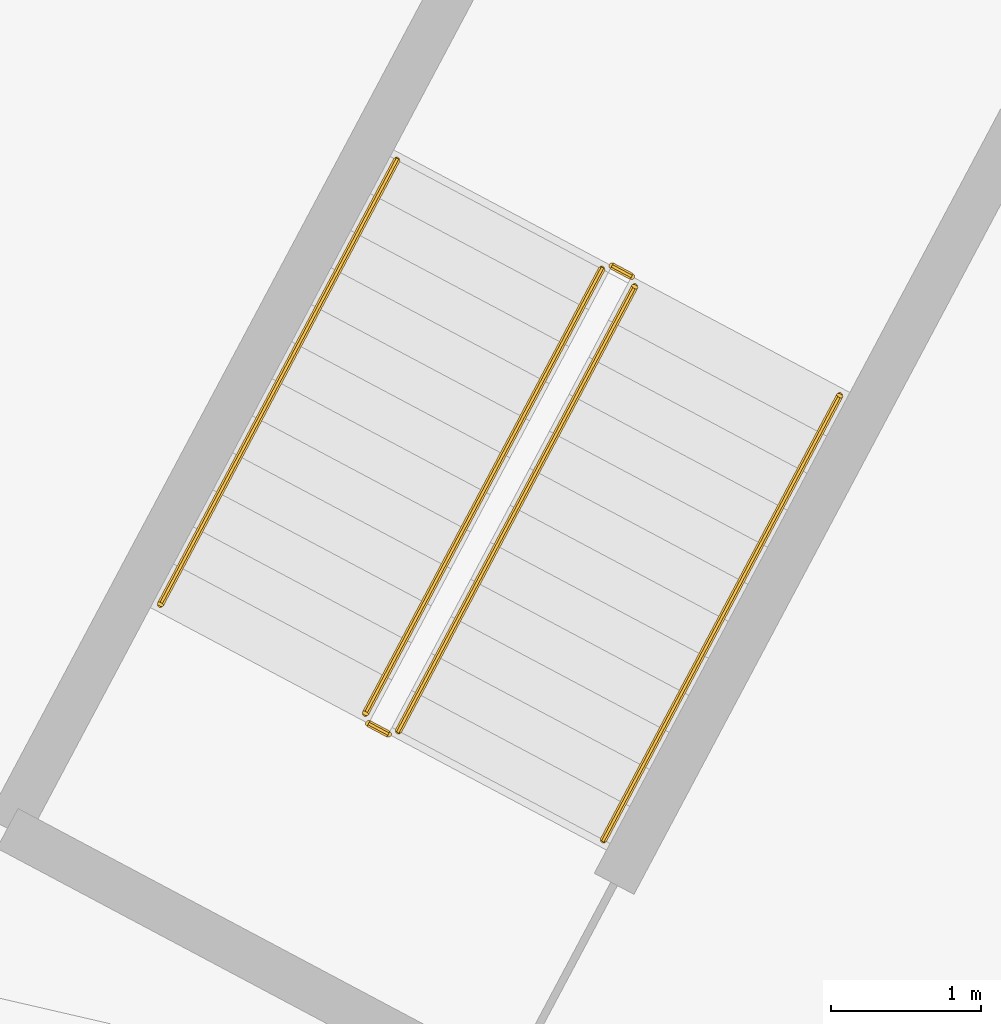
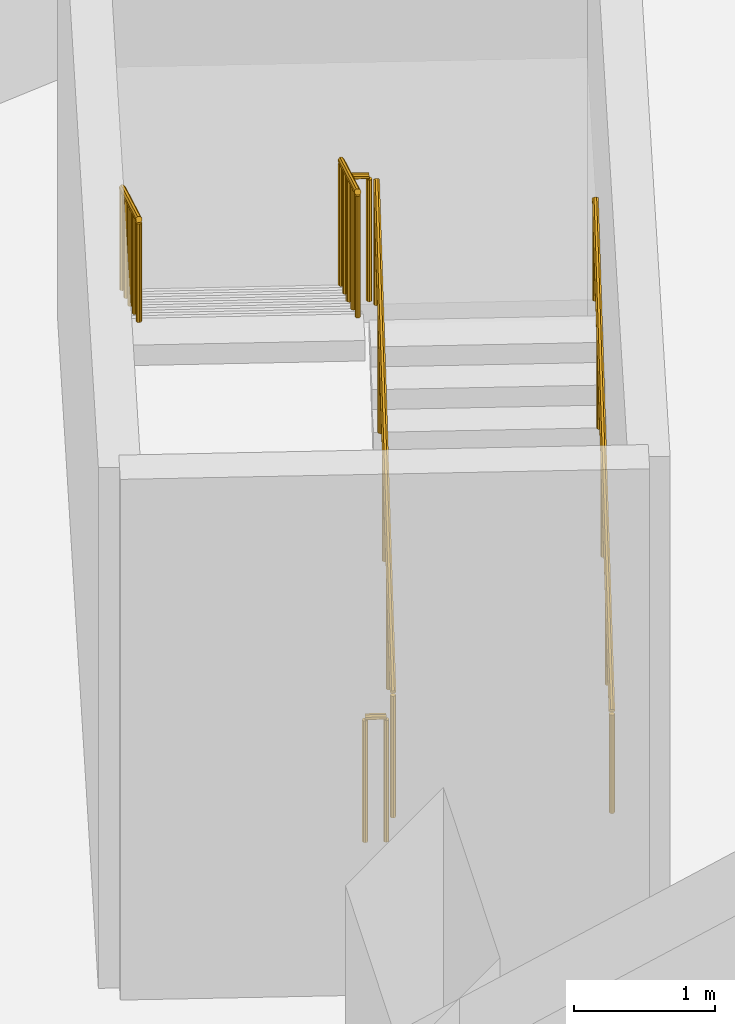
# One storey, part 25 of 29: 6 railings.
"""IFC4 building model written with IfcOpenShell, lengths in metres."""

import ifcopenshell
import ifcopenshell.guid

model = None  # the IFC model being written
_history = None  # IfcOwnerHistory: only IFC2X3 demands one
_inside = {}  # id of a spatial element -> (the spatial element, [elements in it])
_under = {}  # id of a project, library or spatial element -> (it, [spatial elements below it])
_declared = {}  # id of a project -> (the project, [libraries it declares])
_typed = {}  # id of a type object -> (the type object, [elements of that type])
_made_of = {}  # id of a material, layer set ... -> (it, [elements and type objects made of it])


def new_model(schema):
    """Start an empty IFC model of exactly this schema.

    Asked for "IFC4X3", IfcOpenShell would pick the latest addendum, in which some entities
    have other attributes; the version numbers below select the first issue.
    IFC2X3 requires an IfcOwnerHistory on every rooted entity: one is made here for all.
    """
    global model, _history
    if schema == "IFC4X3":
        model = ifcopenshell.file(schema_version=(4, 3, 0, 0))
    else:
        model = ifcopenshell.file(schema=schema)
    _inside.clear()
    _under.clear()
    _declared.clear()
    _typed.clear()
    _made_of.clear()
    _history = None
    if model.schema == "IFC2X3":
        org = make("IfcOrganization", Name="unknown")
        user = make(
            "IfcPersonAndOrganization",
            ThePerson=make("IfcPerson", FamilyName="unknown"),
            TheOrganization=org,
        )
        app = make(
            "IfcApplication",
            ApplicationDeveloper=org,
            Version="unknown",
            ApplicationFullName="unknown",
            ApplicationIdentifier="unknown",
        )
        _history = make(
            "IfcOwnerHistory",
            OwningUser=user,
            OwningApplication=app,
            ChangeAction="ADDED",
            CreationDate=0,
        )
    return model


def make(cls, **values):
    """One entity of the class cls with the attributes given. An attribute that is None is left unset."""
    return model.create_entity(
        cls, **{name: value for name, value in values.items() if value is not None}
    )


def rooted(cls, **values):
    """An entity with a GlobalId (a new one), such as an element, a storey or a relation."""
    return make(cls, GlobalId=ifcopenshell.guid.new(), OwnerHistory=_history, **values)


def si_unit(unit_type, name, prefix=None):
    """IfcSIUnit, for example si_unit("LENGTHUNIT", "METRE", prefix="MILLI")."""
    return make("IfcSIUnit", UnitType=unit_type, Prefix=prefix, Name=name)


def assignment(units):
    """IfcUnitAssignment: the units of a project."""
    return None if units is None else make("IfcUnitAssignment", Units=units)


def point(xyz):
    """IfcCartesianPoint."""
    return None if xyz is None else make("IfcCartesianPoint", Coordinates=xyz)


def direction(xyz):
    """IfcDirection."""
    return None if xyz is None else make("IfcDirection", DirectionRatios=xyz)


def frame(location, z_axis=None, x_axis=None):
    """IfcAxis2Placement3D, a coordinate frame: its origin and axes. An axis left out is left unset."""
    return make(
        "IfcAxis2Placement3D",
        Location=point(location),
        Axis=direction(z_axis),
        RefDirection=direction(x_axis),
    )


def origin():
    """The frame at (0, 0, 0) with its axes left unset."""
    return frame((0.0, 0.0, 0.0))


def place(relative_to, where):
    """IfcLocalPlacement: puts the frame where relative to a parent placement (None: the world)."""
    return make(
        "IfcLocalPlacement", PlacementRelTo=relative_to, RelativePlacement=where
    )


def context(
    kind, dimensions, precision=None, world=None, true_north=None, identifier=None
):
    """IfcGeometricRepresentationContext, for example the 3D "Model" context."""
    return make(
        "IfcGeometricRepresentationContext",
        ContextIdentifier=identifier,
        ContextType=kind,
        CoordinateSpaceDimension=dimensions,
        Precision=precision,
        WorldCoordinateSystem=world,
        TrueNorth=true_north,
    )


def subcontext(parent, identifier, kind, view, scale=None):
    """IfcGeometricRepresentationSubContext, for example "Body" below "Model"."""
    return make(
        "IfcGeometricRepresentationSubContext",
        ContextIdentifier=identifier,
        ContextType=kind,
        ParentContext=parent,
        TargetScale=scale,
        TargetView=view,
    )


def project(units=None, contexts=None):
    """IfcProject with its units and contexts."""
    return rooted(
        "IfcProject",
        Name="project",
        RepresentationContexts=contexts,
        UnitsInContext=assignment(units),
    )


def spatial(cls, under=None, at=None, **own):
    """A site, building, storey or space (cls), placed at a placement, below another one or the project."""
    s = rooted(cls, ObjectPlacement=at, **own)
    if under is not None:
        _under.setdefault(under.id(), (under, []))[1].append(s)
    return s


def polyline(points):
    """IfcPolyline through the points."""
    return make("IfcPolyline", Points=[point(p) for p in points])


def outline(outer, holes=None, kind="AREA"):
    """IfcArbitraryClosedProfileDef: a profile drawn as a closed curve; with holes, ...WithVoids."""
    if holes is None:
        return make("IfcArbitraryClosedProfileDef", ProfileType=kind, OuterCurve=outer)
    return make(
        "IfcArbitraryProfileDefWithVoids",
        ProfileType=kind,
        OuterCurve=outer,
        InnerCurves=holes,
    )


def extrude(swept, where, along, depth):
    """IfcExtrudedAreaSolid: the profile swept, set in the frame where, extruded along a direction by depth."""
    return make(
        "IfcExtrudedAreaSolid",
        SweptArea=swept,
        Position=where,
        ExtrudedDirection=direction(along),
        Depth=depth,
    )


def shape(context_of_items, identifier, shape_type, items):
    """IfcShapeRepresentation: the items that make up one representation, for example the "Body"."""
    return make(
        "IfcShapeRepresentation",
        ContextOfItems=context_of_items,
        RepresentationIdentifier=identifier,
        RepresentationType=shape_type,
        Items=items,
    )


def material(Name=None, Category=None):
    """IfcMaterial."""
    return make("IfcMaterial", Name=Name, Category=Category)


def made_of(thing, what):
    """Note that an element or type object is made of a material, layer set ...; save() writes the relation."""
    if what is not None:
        _made_of.setdefault(what.id(), (what, []))[1].append(thing)
    return thing


def type_object(cls, material=None, **own):
    """A type object (cls), such as IfcWallType, which elements share."""
    return made_of(rooted(cls, **own), material)


def element(
    cls,
    number,
    at=None,
    inside=None,
    cuts=None,
    type_object=None,
    material=None,
    context=None,
    identifier="Body",
    shape_type=None,
    held_by="IfcProductDefinitionShape",
    body=None,
    shapes=None,
    **own,
):
    """One element of the class cls, such as IfcWall. Its Tag is "e" and its number.

    at: its placement. inside: the storey or other place that contains it. cuts: it is an
    opening in that element (IfcRelVoidsElement). A single representation is given by context,
    identifier, shape_type and body (its items); several are given by shapes. held_by: the class
    of the entity that holds the representations. save() writes the other relations.
    """
    e = rooted(cls, Tag="e%d" % number, ObjectPlacement=at, **own)
    if body is not None:
        shapes = [shape(context, identifier, shape_type, body)]
    if shapes is not None:
        e.Representation = make(held_by, Representations=shapes)
    if inside is not None:
        _inside.setdefault(inside.id(), (inside, []))[1].append(e)
    if cuts is not None:
        rooted(
            "IfcRelVoidsElement", RelatingBuildingElement=cuts, RelatedOpeningElement=e
        )
    if type_object is not None:
        _typed.setdefault(type_object.id(), (type_object, []))[1].append(e)
    return made_of(e, material)


def aggregate(whole, parts):
    """IfcRelAggregates: a whole, such as a stair, and the parts it consists of."""
    return rooted("IfcRelAggregates", RelatingObject=whole, RelatedObjects=parts)


def save(model, path):
    """Write the relations noted so far, then the file.

    IfcRelAggregates (storeys below a building ...), IfcRelContainedInSpatialStructure (elements
    in a storey), IfcRelDefinesByType, IfcRelAssociatesMaterial and IfcRelDeclares: one each for
    every whole, place, type object, material and project.
    """
    for whole, parts in _under.values():
        aggregate(whole, parts)
    for where, things in _inside.values():
        rooted(
            "IfcRelContainedInSpatialStructure",
            RelatedElements=things,
            RelatingStructure=where,
        )
    for kind, things in _typed.values():
        rooted("IfcRelDefinesByType", RelatedObjects=things, RelatingType=kind)
    for what, things in _made_of.values():
        rooted("IfcRelAssociatesMaterial", RelatedObjects=things, RelatingMaterial=what)
    for by, libraries in _declared.values():
        rooted("IfcRelDeclares", RelatingContext=by, RelatedDefinitions=libraries)
    model.write(path)


model = new_model("IFC4")

# Units and contexts
model_context = context("Model", 3, precision=1e-05, world=origin(), true_north=direction((0.0, 1.0)))
body_context = subcontext(model_context, "Body", "Model", "MODEL_VIEW")
ifc_project = project(units=[si_unit("LENGTHUNIT", "METRE"), si_unit("AREAUNIT", "SQUARE_METRE"), si_unit("VOLUMEUNIT", "CUBIC_METRE"), si_unit("PLANEANGLEUNIT", "RADIAN"), si_unit("MASSUNIT", "GRAM", prefix="KILO")], contexts=[model_context])

# Site, building, storey
site_placement = place(None, origin())
site = spatial("IfcSite", under=ifc_project, at=site_placement, CompositionType="ELEMENT")
building_placement = place(site_placement, origin())
building = spatial("IfcBuilding", under=site, at=building_placement, Name="Cormorant Relay Tower", CompositionType="ELEMENT")
storey_placement = place(building_placement, frame((0.0, 0.0, -9.0)))
storey = spatial("IfcBuildingStorey", under=building, at=storey_placement, Name="B2", CompositionType="ELEMENT", Elevation=-9.0)

# Railings
ifc_material_1 = material(Name="Steel ASTM A572 Grade 50 (Fy 345 MPa)", Category="steel")
railing_type_1 = type_object("IfcRailingType", Name="Stair guard 1100", PredefinedType="GUARDRAIL", material=ifc_material_1)
railing_1_placement = place(storey_placement, frame((-32.992919921875, 45.866455078125, 0.173095703125)))
element("IfcRailing", 1, at=railing_1_placement, inside=storey, type_object=railing_type_1, Name="B2 RN2 stair guard 1", PredefinedType="GUARDRAIL", context=body_context, shape_type="SweptSolid", body=[
    extrude(outline(polyline([(0.022216796875, 0.00927734375), (0.00927734375, 0.022216796875), (-0.00927734375, 0.022216796875), (-0.022216796875, 0.00927734375), (-0.022216796875, -0.00927734375), (-0.00927734375, -0.022216796875), (0.00927734375, -0.022216796875), (0.022216796875, -0.00927734375), (0.022216796875, 0.00927734375)])), frame((0.0, 0.0, 1.076171875), z_axis=(0.399344577991, 0.75103481925, 0.525804724497), x_axis=(-0.88294160794, 0.469482818608, 0.0)), (0.0, 0.0, 1.0), 3.949951171875),
    extrude(outline(polyline([(0.019287109375, 0.008056640625), (0.008056640625, 0.019287109375), (-0.008056640625, 0.019287109375), (-0.019287109375, 0.008056640625), (-0.019287109375, -0.008056640625), (-0.008056640625, -0.019287109375), (0.008056640625, -0.019287109375), (0.019287109375, -0.008056640625), (0.019287109375, 0.008056640625)])), origin(), (0.0, 0.0, 1.0), 1.052001953125),
    extrude(outline(polyline([(0.019287109375, 0.008056640625), (0.008056640625, 0.019287109375), (-0.008056640625, 0.019287109375), (-0.019287109375, 0.008056640625), (-0.019287109375, -0.008056640625), (-0.008056640625, -0.019287109375), (0.008056640625, -0.019287109375), (0.019287109375, -0.008056640625), (0.019287109375, 0.008056640625)])), frame((0.394287109375, 0.74169921875, 0.519287109375)), (0.0, 0.0, 1.0), 1.052001953125),
    extrude(outline(polyline([(0.019287109375, 0.008056640625), (0.008056640625, 0.019287109375), (-0.008056640625, 0.019287109375), (-0.019287109375, 0.008056640625), (-0.019287109375, -0.008056640625), (-0.008056640625, -0.019287109375), (0.008056640625, -0.019287109375), (0.019287109375, -0.008056640625), (0.019287109375, 0.008056640625)])), frame((0.78857421875, 1.4833984375, 1.03857421875)), (0.0, 0.0, 1.0), 1.052001953125),
    extrude(outline(polyline([(0.019287109375, 0.008056640625), (0.008056640625, 0.019287109375), (-0.008056640625, 0.019287109375), (-0.019287109375, 0.008056640625), (-0.019287109375, -0.008056640625), (-0.008056640625, -0.019287109375), (0.008056640625, -0.019287109375), (0.019287109375, -0.008056640625), (0.019287109375, 0.008056640625)])), frame((1.18310546875, 2.224853515625, 1.5576171875)), (0.0, 0.0, 1.0), 1.052001953125),
    extrude(outline(polyline([(0.019287109375, 0.008056640625), (0.008056640625, 0.019287109375), (-0.008056640625, 0.019287109375), (-0.019287109375, 0.008056640625), (-0.019287109375, -0.008056640625), (-0.008056640625, -0.019287109375), (0.008056640625, -0.019287109375), (0.019287109375, -0.008056640625), (0.019287109375, 0.008056640625)])), frame((1.577392578125, 2.966552734375, 2.076904296875)), (0.0, 0.0, 1.0), 1.052001953125),
])
railing_2_placement = place(storey_placement, frame((-31.43603515625, 48.900634765625, 2.25)))
element("IfcRailing", 2, at=railing_2_placement, inside=storey, type_object=railing_type_1, Name="B2 RN2 stair guard 2", PredefinedType="GUARDRAIL", context=body_context, shape_type="SweptSolid", body=[
    extrude(outline(polyline([(0.022216796875, 0.00927734375), (0.00927734375, 0.022216796875), (-0.00927734375, 0.022216796875), (-0.022216796875, 0.00927734375), (-0.022216796875, -0.00927734375), (-0.00927734375, -0.022216796875), (0.00927734375, -0.022216796875), (0.022216796875, -0.00927734375), (0.022216796875, 0.00927734375)])), frame((0.0, 0.0, 1.076171875), z_axis=(-0.882757634224, 0.469828648786, 0.0), x_axis=(-0.469828648786, -0.882757634224, 0.0)), (0.0, 0.0, 1.0), 0.150146484375),
    extrude(outline(polyline([(0.019287109375, 0.008056640625), (0.008056640625, 0.019287109375), (-0.008056640625, 0.019287109375), (-0.019287109375, 0.008056640625), (-0.019287109375, -0.008056640625), (-0.008056640625, -0.019287109375), (0.008056640625, -0.019287109375), (0.019287109375, -0.008056640625), (0.019287109375, 0.008056640625)])), origin(), (0.0, 0.0, 1.0), 1.052001953125),
    extrude(outline(polyline([(0.019287109375, 0.008056640625), (0.008056640625, 0.019287109375), (-0.008056640625, 0.019287109375), (-0.019287109375, 0.008056640625), (-0.019287109375, -0.008056640625), (-0.008056640625, -0.019287109375), (0.008056640625, -0.019287109375), (0.019287109375, -0.008056640625), (0.019287109375, 0.008056640625)])), frame((-0.132568359375, 0.070556640625, 0.0)), (0.0, 0.0, 1.0), 1.052001953125),
])
railing_3_placement = place(storey_placement, frame((-31.63623046875, 48.950439453125, 2.423095703125)))
element("IfcRailing", 3, at=railing_3_placement, inside=storey, type_object=railing_type_1, Name="B2 RN2 stair guard 3", PredefinedType="GUARDRAIL", context=body_context, shape_type="SweptSolid", body=[
    extrude(outline(polyline([(0.022216796875, 0.00927734375), (0.00927734375, 0.022216796875), (-0.00927734375, 0.022216796875), (-0.022216796875, 0.00927734375), (-0.022216796875, -0.00927734375), (-0.00927734375, -0.022216796875), (0.00927734375, -0.022216796875), (0.022216796875, -0.00927734375), (0.022216796875, 0.00927734375)])), frame((0.0, 0.0, 1.076171875), z_axis=(-0.399326040817, -0.751061762576, 0.525780317169), x_axis=(0.882957622595, -0.46945269911, 0.0)), (0.0, 0.0, 1.0), 3.9501953125),
    extrude(outline(polyline([(0.019287109375, 0.008056640625), (0.008056640625, 0.019287109375), (-0.008056640625, 0.019287109375), (-0.019287109375, 0.008056640625), (-0.019287109375, -0.008056640625), (-0.008056640625, -0.019287109375), (0.008056640625, -0.019287109375), (0.019287109375, -0.008056640625), (0.019287109375, 0.008056640625)])), origin(), (0.0, 0.0, 1.0), 1.052001953125),
    extrude(outline(polyline([(0.019287109375, 0.008056640625), (0.008056640625, 0.019287109375), (-0.008056640625, 0.019287109375), (-0.019287109375, 0.008056640625), (-0.019287109375, -0.008056640625), (-0.008056640625, -0.019287109375), (0.008056640625, -0.019287109375), (0.019287109375, -0.008056640625), (0.019287109375, 0.008056640625)])), frame((-0.394287109375, -0.74169921875, 0.519287109375)), (0.0, 0.0, 1.0), 1.052001953125),
    extrude(outline(polyline([(0.019287109375, 0.008056640625), (0.008056640625, 0.019287109375), (-0.008056640625, 0.019287109375), (-0.019287109375, 0.008056640625), (-0.019287109375, -0.008056640625), (-0.008056640625, -0.019287109375), (0.008056640625, -0.019287109375), (0.019287109375, -0.008056640625), (0.019287109375, 0.008056640625)])), frame((-0.78857421875, -1.4833984375, 1.03857421875)), (0.0, 0.0, 1.0), 1.052001953125),
    extrude(outline(polyline([(0.019287109375, 0.008056640625), (0.008056640625, 0.019287109375), (-0.008056640625, 0.019287109375), (-0.019287109375, 0.008056640625), (-0.019287109375, -0.008056640625), (-0.008056640625, -0.019287109375), (0.008056640625, -0.019287109375), (0.019287109375, -0.008056640625), (0.019287109375, 0.008056640625)])), frame((-1.18310546875, -2.22509765625, 1.5576171875)), (0.0, 0.0, 1.0), 1.052001953125),
    extrude(outline(polyline([(0.019287109375, 0.008056640625), (0.008056640625, 0.019287109375), (-0.008056640625, 0.019287109375), (-0.019287109375, 0.008056640625), (-0.019287109375, -0.008056640625), (-0.008056640625, -0.019287109375), (0.008056640625, -0.019287109375), (0.019287109375, -0.008056640625), (0.019287109375, 0.008056640625)])), frame((-1.577392578125, -2.966796875, 2.076904296875)), (0.0, 0.0, 1.0), 1.052001953125),
])
railing_4_placement = place(storey_placement, frame((-33.060546875, 45.845703125, 0.0)))
element("IfcRailing", 4, at=railing_4_placement, inside=storey, type_object=railing_type_1, Name="B2 RN2 stair guard 4", PredefinedType="GUARDRAIL", context=body_context, shape_type="SweptSolid", body=[
    extrude(outline(polyline([(0.022216796875, 0.00927734375), (0.00927734375, 0.022216796875), (-0.00927734375, 0.022216796875), (-0.022216796875, 0.00927734375), (-0.022216796875, -0.00927734375), (-0.00927734375, -0.022216796875), (0.00927734375, -0.022216796875), (0.022216796875, -0.00927734375), (0.022216796875, 0.00927734375)])), frame((0.0, 0.0, 1.076171875), z_axis=(-0.883073525669, 0.469234640946, 0.0), x_axis=(-0.469234640946, -0.883073525669, 0.0)), (0.0, 0.0, 1.0), 0.14990234375),
    extrude(outline(polyline([(0.019287109375, 0.008056640625), (0.008056640625, 0.019287109375), (-0.008056640625, 0.019287109375), (-0.019287109375, 0.008056640625), (-0.019287109375, -0.008056640625), (-0.008056640625, -0.019287109375), (0.008056640625, -0.019287109375), (0.019287109375, -0.008056640625), (0.019287109375, 0.008056640625)])), origin(), (0.0, 0.0, 1.0), 1.052001953125),
    extrude(outline(polyline([(0.019287109375, 0.008056640625), (0.008056640625, 0.019287109375), (-0.008056640625, 0.019287109375), (-0.019287109375, 0.008056640625), (-0.019287109375, -0.008056640625), (-0.008056640625, -0.019287109375), (0.008056640625, -0.019287109375), (0.019287109375, -0.008056640625), (0.019287109375, 0.008056640625)])), frame((-0.13232421875, 0.0703125, 0.0)), (0.0, 0.0, 1.0), 1.052001953125),
])
ifc_material_2 = material(Name="Steel ASTM A572 Grade 50 (Fy 345 MPa)", Category="steel")
railing_type_2 = type_object("IfcRailingType", Name="Stair handrail 900", PredefinedType="HANDRAIL", material=ifc_material_2)
railing_5_placement = place(storey_placement, frame((-31.624267578125, 45.138671875, 0.173095703125)))
element("IfcRailing", 5, at=railing_5_placement, inside=storey, type_object=railing_type_2, Name="B2 RN2 stair handrail 1", PredefinedType="HANDRAIL", context=body_context, shape_type="SweptSolid", body=[
    extrude(outline(polyline([(0.022216796875, 0.00927734375), (0.00927734375, 0.022216796875), (-0.00927734375, 0.022216796875), (-0.022216796875, 0.00927734375), (-0.022216796875, -0.00927734375), (-0.00927734375, -0.022216796875), (0.00927734375, -0.022216796875), (0.022216796875, -0.00927734375), (0.022216796875, 0.00927734375)])), frame((0.0, 0.0, 0.8759765625), z_axis=(0.399326040817, 0.751061762576, 0.525780317169), x_axis=(-0.882957622595, 0.46945269911, 0.0)), (0.0, 0.0, 1.0), 3.9501953125),
    extrude(outline(polyline([(0.019287109375, 0.008056640625), (0.008056640625, 0.019287109375), (-0.008056640625, 0.019287109375), (-0.019287109375, 0.008056640625), (-0.019287109375, -0.008056640625), (-0.008056640625, -0.019287109375), (0.008056640625, -0.019287109375), (0.019287109375, -0.008056640625), (0.019287109375, 0.008056640625)])), origin(), (0.0, 0.0, 1.0), 0.851806640625),
    extrude(outline(polyline([(0.019287109375, 0.008056640625), (0.008056640625, 0.019287109375), (-0.008056640625, 0.019287109375), (-0.019287109375, 0.008056640625), (-0.019287109375, -0.008056640625), (-0.008056640625, -0.019287109375), (0.008056640625, -0.019287109375), (0.019287109375, -0.008056640625), (0.019287109375, 0.008056640625)])), frame((0.394287109375, 0.74169921875, 0.519287109375)), (0.0, 0.0, 1.0), 0.851806640625),
    extrude(outline(polyline([(0.019287109375, 0.008056640625), (0.008056640625, 0.019287109375), (-0.008056640625, 0.019287109375), (-0.019287109375, 0.008056640625), (-0.019287109375, -0.008056640625), (-0.008056640625, -0.019287109375), (0.008056640625, -0.019287109375), (0.019287109375, -0.008056640625), (0.019287109375, 0.008056640625)])), frame((0.78857421875, 1.4833984375, 1.03857421875)), (0.0, 0.0, 1.0), 0.851806640625),
    extrude(outline(polyline([(0.019287109375, 0.008056640625), (0.008056640625, 0.019287109375), (-0.008056640625, 0.019287109375), (-0.019287109375, 0.008056640625), (-0.019287109375, -0.008056640625), (-0.008056640625, -0.019287109375), (0.008056640625, -0.019287109375), (0.019287109375, -0.008056640625), (0.019287109375, 0.008056640625)])), frame((1.18310546875, 2.22509765625, 1.5576171875)), (0.0, 0.0, 1.0), 0.851806640625),
    extrude(outline(polyline([(0.019287109375, 0.008056640625), (0.008056640625, 0.019287109375), (-0.008056640625, 0.019287109375), (-0.019287109375, 0.008056640625), (-0.019287109375, -0.008056640625), (-0.008056640625, -0.019287109375), (0.008056640625, -0.019287109375), (0.019287109375, -0.008056640625), (0.019287109375, 0.008056640625)])), frame((1.577392578125, 2.966796875, 2.076904296875)), (0.0, 0.0, 1.0), 0.851806640625),
])
railing_6_placement = place(storey_placement, frame((-33.0048828125, 49.67822265625, 2.423095703125)))
element("IfcRailing", 6, at=railing_6_placement, inside=storey, type_object=railing_type_2, Name="B2 RN2 stair handrail 2", PredefinedType="HANDRAIL", context=body_context, shape_type="SweptSolid", body=[
    extrude(outline(polyline([(0.022216796875, 0.00927734375), (0.00927734375, 0.022216796875), (-0.00927734375, 0.022216796875), (-0.022216796875, 0.00927734375), (-0.022216796875, -0.00927734375), (-0.00927734375, -0.022216796875), (0.00927734375, -0.022216796875), (0.022216796875, -0.00927734375), (0.022216796875, 0.00927734375)])), frame((0.0, 0.0, 0.8759765625), z_axis=(-0.399326040817, -0.751061762576, 0.525780317169), x_axis=(0.882957622595, -0.46945269911, 0.0)), (0.0, 0.0, 1.0), 3.9501953125),
    extrude(outline(polyline([(0.019287109375, 0.008056640625), (0.008056640625, 0.019287109375), (-0.008056640625, 0.019287109375), (-0.019287109375, 0.008056640625), (-0.019287109375, -0.008056640625), (-0.008056640625, -0.019287109375), (0.008056640625, -0.019287109375), (0.019287109375, -0.008056640625), (0.019287109375, 0.008056640625)])), origin(), (0.0, 0.0, 1.0), 0.851806640625),
    extrude(outline(polyline([(0.019287109375, 0.008056640625), (0.008056640625, 0.019287109375), (-0.008056640625, 0.019287109375), (-0.019287109375, 0.008056640625), (-0.019287109375, -0.008056640625), (-0.008056640625, -0.019287109375), (0.008056640625, -0.019287109375), (0.019287109375, -0.008056640625), (0.019287109375, 0.008056640625)])), frame((-0.394287109375, -0.74169921875, 0.519287109375)), (0.0, 0.0, 1.0), 0.851806640625),
    extrude(outline(polyline([(0.019287109375, 0.008056640625), (0.008056640625, 0.019287109375), (-0.008056640625, 0.019287109375), (-0.019287109375, 0.008056640625), (-0.019287109375, -0.008056640625), (-0.008056640625, -0.019287109375), (0.008056640625, -0.019287109375), (0.019287109375, -0.008056640625), (0.019287109375, 0.008056640625)])), frame((-0.78857421875, -1.4833984375, 1.03857421875)), (0.0, 0.0, 1.0), 0.851806640625),
    extrude(outline(polyline([(0.019287109375, 0.008056640625), (0.008056640625, 0.019287109375), (-0.008056640625, 0.019287109375), (-0.019287109375, 0.008056640625), (-0.019287109375, -0.008056640625), (-0.008056640625, -0.019287109375), (0.008056640625, -0.019287109375), (0.019287109375, -0.008056640625), (0.019287109375, 0.008056640625)])), frame((-1.18310546875, -2.22509765625, 1.5576171875)), (0.0, 0.0, 1.0), 0.851806640625),
    extrude(outline(polyline([(0.019287109375, 0.008056640625), (0.008056640625, 0.019287109375), (-0.008056640625, 0.019287109375), (-0.019287109375, 0.008056640625), (-0.019287109375, -0.008056640625), (-0.008056640625, -0.019287109375), (0.008056640625, -0.019287109375), (0.019287109375, -0.008056640625), (0.019287109375, 0.008056640625)])), frame((-1.577392578125, -2.966796875, 2.076904296875)), (0.0, 0.0, 1.0), 0.851806640625),
])

save(model, "model.ifc")
